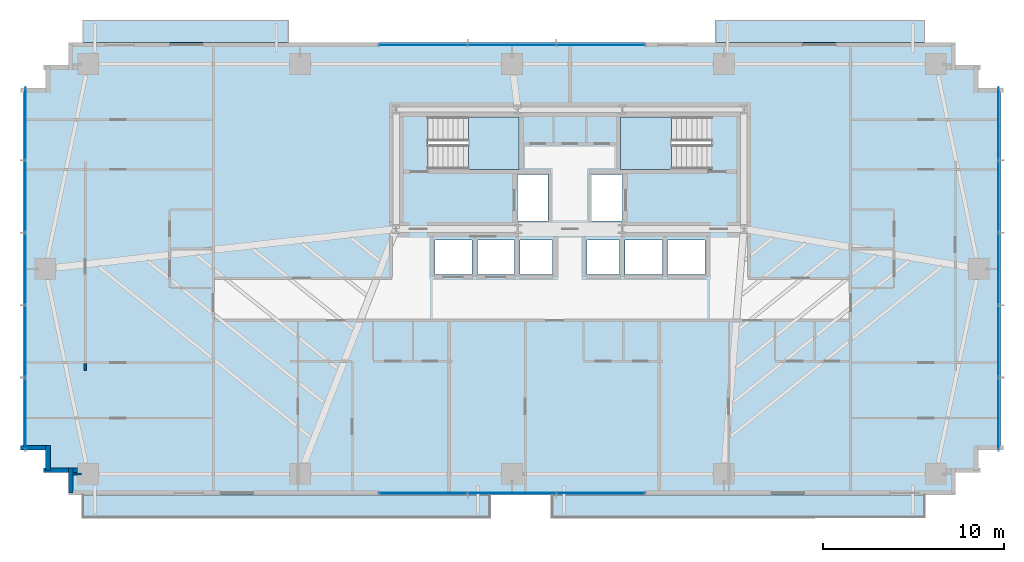
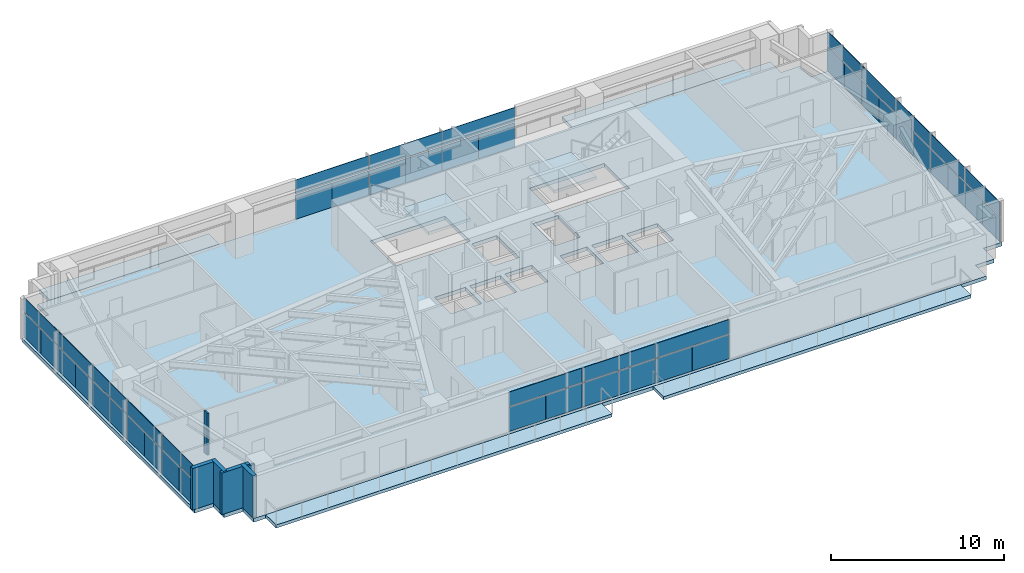
# One storey, part 18 of 25: 48 plates, 7 slabs, 6 walls, 6 elements without a shape of their own.
"""IFC4 building model written with IfcOpenShell, lengths in metres."""

from ifc_helpers import new_model, si_unit, direction, frame, frame_2d, origin, origin_2d, place, context, subcontext, project, spatial, polyline, rectangle, outline, extrude, source, transform, mapped, material, layer, layer_set, type_object, type_shapes, element, aggregate, save


model = new_model("IFC4")

# Units and contexts
model_context = context("Model", 3, precision=1e-05, world=origin(), true_north=direction((0.0, 1.0)))
body_context = subcontext(model_context, "Body", "Model", "MODEL_VIEW")
ifc_project = project(units=[si_unit("LENGTHUNIT", "METRE"), si_unit("AREAUNIT", "SQUARE_METRE"), si_unit("VOLUMEUNIT", "CUBIC_METRE"), si_unit("PLANEANGLEUNIT", "RADIAN"), si_unit("MASSUNIT", "GRAM", prefix="KILO")], contexts=[model_context])

# Site, building, storey
site_placement = place(None, origin())
site = spatial("IfcSite", under=ifc_project, at=site_placement, CompositionType="ELEMENT")
building_placement = place(site_placement, origin())
building = spatial("IfcBuilding", under=site, at=building_placement, Name="Astriad Promenade Condominiums", CompositionType="ELEMENT")
storey_placement = place(building_placement, frame((0.0, 0.0, 55.0)))
storey = spatial("IfcBuildingStorey", under=building, at=storey_placement, Name="L15", CompositionType="ELEMENT", Elevation=55.0)

# Slab
ifc_material_1 = material(Name="Concrete C50/60", Category="concrete")
ifc_layer_1 = layer(ifc_material_1, 0.260009765625)
ifc_layer_set_1 = layer_set([ifc_layer_1], Name="Concrete C50/60")
slab_type_1 = type_object("IfcSlabType", Name="CONCRETE TOWER FLOOR SLAB 260", PredefinedType="FLOOR", material=ifc_layer_set_1)
slab_1_placement = place(storey_placement, frame((0.0, 0.0, -0.260009765625)))
element("IfcSlab", 1, at=slab_1_placement, inside=storey, type_object=slab_type_1, Name="Structural Floor Slab (L15)", PredefinedType="FLOOR", context=body_context, shape_type="SweptSolid", body=[
    extrude(outline(polyline([(8.300048828125, 2.699951171875), (57.300048828125, 2.699951171875), (57.300048828125, 3.949951171875), (58.550048828125, 3.949951171875), (58.550048828125, 5.199951171875), (59.800048828125, 5.199951171875), (59.800048828125, 25.199951171875), (58.550048828125, 25.199951171875), (58.550048828125, 26.449951171875), (57.300048828125, 26.449951171875), (57.300048828125, 27.699951171875), (8.300048828125, 27.699951171875), (8.300048828125, 26.449951171875), (7.050048828125, 26.449951171875), (7.050048828125, 25.199951171875), (5.800048828125, 25.199951171875), (5.800048828125, 5.199951171875), (7.050048828125, 5.199951171875), (7.050048828125, 3.949951171875), (8.300048828125, 3.949951171875), (8.300048828125, 2.699951171875)]), holes=[polyline([(28.175048828125, 20.699951171875), (33.175048828125, 20.699951171875), (33.175048828125, 23.60009765625), (28.175048828125, 23.60009765625), (28.175048828125, 20.699951171875)]), polyline([(38.824951171875, 20.699951171875), (43.824951171875, 20.699951171875), (43.824951171875, 23.60009765625), (38.824951171875, 23.60009765625), (38.824951171875, 20.699951171875)]), polyline([(33.10009765625, 17.85009765625), (34.800048828125, 17.85009765625), (34.800048828125, 20.39990234375), (33.10009765625, 20.39990234375), (33.10009765625, 17.85009765625)]), polyline([(37.199951171875, 17.85009765625), (38.89990234375, 17.85009765625), (38.89990234375, 20.39990234375), (37.199951171875, 20.39990234375), (37.199951171875, 17.85009765625)]), polyline([(28.550048828125, 14.89990234375), (30.60009765625, 14.89990234375), (30.60009765625, 16.800048828125), (28.550048828125, 16.800048828125), (28.550048828125, 14.89990234375)]), polyline([(30.89990234375, 14.89990234375), (32.949951171875, 14.89990234375), (32.949951171875, 16.800048828125), (30.89990234375, 16.800048828125), (30.89990234375, 14.89990234375)]), polyline([(33.25, 14.89990234375), (35.050048828125, 14.89990234375), (35.050048828125, 16.800048828125), (33.25, 16.800048828125), (33.25, 14.89990234375)]), polyline([(36.949951171875, 14.89990234375), (38.75, 14.89990234375), (38.75, 16.800048828125), (36.949951171875, 16.800048828125), (36.949951171875, 14.89990234375)]), polyline([(39.050048828125, 14.89990234375), (41.10009765625, 14.89990234375), (41.10009765625, 16.800048828125), (39.050048828125, 16.800048828125), (39.050048828125, 14.89990234375)]), polyline([(41.39990234375, 14.89990234375), (43.449951171875, 14.89990234375), (43.449951171875, 16.800048828125), (41.39990234375, 16.800048828125), (41.39990234375, 14.89990234375)])]), origin(), (0.0, 0.0, 1.0), 0.260009765625),
])

# Stair, slab
stair_type = type_object("IfcStairType", Name="STR-CORE-1350", PredefinedType="HALF_TURN_STAIR", material=ifc_material_1)
stair_1_placement = place(storey_placement, origin())
stair_1 = element("IfcStair", 2, at=stair_1_placement, inside=storey, type_object=stair_type, Name="L15 Enclosed Core Exit Stair ST-1", PredefinedType="HALF_TURN_STAIR")
ifc_layer_2 = layer(ifc_material_1, 0.219970703125)
ifc_layer_set_2 = layer_set([ifc_layer_2], Name="Concrete C50/60")
slab_type_2 = type_object("IfcSlabType", Name="SLB-LANDING-220", PredefinedType="LANDING", material=ifc_layer_set_2)
slab_2_placement = place(storey_placement, frame((0.0, 0.0, 1.39990234375)))
slab_2 = element("IfcSlab", 3, at=slab_2_placement, type_object=slab_type_2, Name="ST-1 landing 1", PredefinedType="LANDING", context=body_context, shape_type="SweptSolid", body=[
    extrude(outline(polyline([(30.389892578125, 20.699951171875), (33.199951171875, 20.699951171875), (33.199951171875, 23.60009765625), (30.389892578125, 23.60009765625), (30.389892578125, 20.699951171875)])), origin(), (0.0, 0.0, 1.0), 0.2001953125),
])
aggregate(stair_1, [slab_2])

stair_2_placement = place(storey_placement, origin())
stair_2 = element("IfcStair", 4, at=stair_2_placement, inside=storey, type_object=stair_type, Name="L15 Enclosed Core Exit Stair ST-2", PredefinedType="HALF_TURN_STAIR")
slab_3_placement = place(storey_placement, frame((0.0, 0.0, 1.39990234375)))
slab_3 = element("IfcSlab", 5, at=slab_3_placement, type_object=slab_type_2, Name="ST-2 landing 1", PredefinedType="LANDING", context=body_context, shape_type="SweptSolid", body=[
    extrude(outline(polyline([(41.610107421875, 23.60009765625), (38.800048828125, 23.60009765625), (38.800048828125, 20.699951171875), (41.610107421875, 20.699951171875), (41.610107421875, 23.60009765625)])), origin(), (0.0, 0.0, 1.0), 0.2001953125),
])
aggregate(stair_2, [slab_3])

# Slabs
ifc_material_2 = material(Name="Precast concrete C50/60", Category="concrete")
ifc_layer_3 = layer(ifc_material_2, 0.219970703125)
ifc_layer_set_3 = layer_set([ifc_layer_3], Name="Precast concrete C50/60")
slab_type_3 = type_object("IfcSlabType", Name="WHITE PRECAST CONCRETE WAVE BALCONY SLAB 220", PredefinedType="FLOOR", material=ifc_layer_set_3)
slab_4_placement = place(storey_placement, frame((0.0, 0.0, -0.219970703125)))
element("IfcSlab", 6, at=slab_4_placement, inside=storey, type_object=slab_type_3, Name="White Precast Wave Balcony Slab BAL-L15-SW", PredefinedType="FLOOR", context=body_context, shape_type="SweptSolid", body=[
    extrude(outline(polyline([(31.568115234375, 1.47998046875), (9.10595703125, 1.47998046875), (9.10595703125, 2.697998046875), (31.568115234375, 2.697998046875), (31.568115234375, 1.47998046875)])), origin(), (0.0, 0.0, 1.0), 0.219970703125),
])
slab_5_placement = place(storey_placement, frame((0.0, 0.0, -0.219970703125)))
element("IfcSlab", 7, at=slab_5_placement, inside=storey, type_object=slab_type_3, Name="White Precast Wave Balcony Slab BAL-L15-SE", PredefinedType="FLOOR", context=body_context, shape_type="SweptSolid", body=[
    extrude(outline(polyline([(55.577880859375, 1.47998046875), (35.027099609375, 1.47998046875), (35.027099609375, 2.697998046875), (55.577880859375, 2.697998046875), (55.577880859375, 1.47998046875)])), origin(), (0.0, 0.0, 1.0), 0.219970703125),
])
slab_6_placement = place(storey_placement, frame((0.0, 0.0, -0.219970703125)))
element("IfcSlab", 8, at=slab_6_placement, inside=storey, type_object=slab_type_3, Name="White Precast Wave Balcony Slab BAL-L15-NW", PredefinedType="FLOOR", context=body_context, shape_type="SweptSolid", body=[
    extrude(outline(polyline([(9.10595703125, 28.919921875), (20.43994140625, 28.919921875), (20.43994140625, 27.701904296875), (9.10595703125, 27.701904296875), (9.10595703125, 28.919921875)])), origin(), (0.0, 0.0, 1.0), 0.219970703125),
])
slab_7_placement = place(storey_placement, frame((0.0, 0.0, -0.219970703125)))
element("IfcSlab", 9, at=slab_7_placement, inside=storey, type_object=slab_type_3, Name="White Precast Wave Balcony Slab BAL-L15-NE", PredefinedType="FLOOR", context=body_context, shape_type="SweptSolid", body=[
    extrude(outline(polyline([(44.050048828125, 28.919921875), (55.577880859375, 28.919921875), (55.577880859375, 27.701904296875), (44.050048828125, 27.701904296875), (44.050048828125, 28.919921875)])), origin(), (0.0, 0.0, 1.0), 0.219970703125),
])

# Curtain wall, plates
ifc_material_3 = material(Name="Anodised aluminium Black Dark Glass Unitised", Category="aluminium")
curtain_wall_type = type_object("IfcCurtainWallType", Name="CW-B1-DARK", PredefinedType="USERDEFINED", material=ifc_material_3)
curtain_wall_1_placement = place(storey_placement, origin())
curtain_wall_1 = element("IfcCurtainWall", 10, at=curtain_wall_1_placement, inside=storey, type_object=curtain_wall_type, Name="CW-L15-W", ObjectType="UNITISED_CURTAIN_WALL", PredefinedType="USERDEFINED")
ifc_material_4 = material(Name="Dark Tinted Low-E Laminated Glass", Category="glass")
ifc_layer_4 = layer(ifc_material_4, 0.035888671875)
ifc_layer_set_4 = layer_set([ifc_layer_4], Name="Dark Tinted Low-E Laminated Glass")
plate_type = type_object("IfcPlateType", Name="PNL-DARK-GLASS-36", PredefinedType="CURTAIN_PANEL", material=ifc_layer_set_4)
shared_shape_1 = source(origin(), body_context, "Body", "SweptSolid", [
    extrude(rectangle(XDim=1.988037109375, YDim=0.035888671875, at=origin_2d()), origin(), (0.0, 0.0, 1.0), 1.702880859375),
])
plate_1_placement = place(storey_placement, frame((5.929931640625, 6.199951171875, 0.080078125), z_axis=(0.0, 0.0, 1.0), x_axis=(0.0, 1.0, 0.0)))
plate_1 = element("IfcPlate", 11, at=plate_1_placement, type_object=plate_type, Name="CW-L15-W-PNL-00-VL", PredefinedType="CURTAIN_PANEL", context=body_context, shape_type="MappedRepresentation", body=[
    mapped(shared_shape_1, transform((0.0, 0.0, 0.0), scale=1.0)),
])
plate_2_placement = place(storey_placement, frame((5.929931640625, 8.199951171875, 0.080078125), z_axis=(0.0, 0.0, 1.0), x_axis=(0.0, 1.0, 0.0)))
plate_2 = element("IfcPlate", 12, at=plate_2_placement, type_object=plate_type, Name="CW-L15-W-PNL-00-VR", PredefinedType="CURTAIN_PANEL", context=body_context, shape_type="MappedRepresentation", body=[
    mapped(shared_shape_1, transform((0.0, 0.0, 0.0), scale=1.0)),
])
plate_3_placement = place(storey_placement, frame((5.929931640625, 10.199951171875, 0.080078125), z_axis=(0.0, 0.0, 1.0), x_axis=(0.0, 1.0, 0.0)))
plate_3 = element("IfcPlate", 13, at=plate_3_placement, type_object=plate_type, Name="CW-L15-W-PNL-01-VL", PredefinedType="CURTAIN_PANEL", context=body_context, shape_type="MappedRepresentation", body=[
    mapped(shared_shape_1, transform((0.0, 0.0, 0.0), scale=1.0)),
])
plate_4_placement = place(storey_placement, frame((5.929931640625, 12.199951171875, 0.080078125), z_axis=(0.0, 0.0, 1.0), x_axis=(0.0, 1.0, 0.0)))
plate_4 = element("IfcPlate", 14, at=plate_4_placement, type_object=plate_type, Name="CW-L15-W-PNL-01-VR", PredefinedType="CURTAIN_PANEL", context=body_context, shape_type="MappedRepresentation", body=[
    mapped(shared_shape_1, transform((0.0, 0.0, 0.0), scale=1.0)),
])
plate_5_placement = place(storey_placement, frame((5.929931640625, 14.199951171875, 0.080078125), z_axis=(0.0, 0.0, 1.0), x_axis=(0.0, 1.0, 0.0)))
plate_5 = element("IfcPlate", 15, at=plate_5_placement, type_object=plate_type, Name="CW-L15-W-PNL-02-VL", PredefinedType="CURTAIN_PANEL", context=body_context, shape_type="MappedRepresentation", body=[
    mapped(shared_shape_1, transform((0.0, 0.0, 0.0), scale=1.0)),
])
plate_6_placement = place(storey_placement, frame((5.929931640625, 16.199951171875, 0.080078125), z_axis=(0.0, 0.0, 1.0), x_axis=(0.0, 1.0, 0.0)))
plate_6 = element("IfcPlate", 16, at=plate_6_placement, type_object=plate_type, Name="CW-L15-W-PNL-02-VR", PredefinedType="CURTAIN_PANEL", context=body_context, shape_type="MappedRepresentation", body=[
    mapped(shared_shape_1, transform((0.0, 0.0, 0.0), scale=1.0)),
])
plate_7_placement = place(storey_placement, frame((5.929931640625, 18.199951171875, 0.080078125), z_axis=(0.0, 0.0, 1.0), x_axis=(0.0, 1.0, 0.0)))
plate_7 = element("IfcPlate", 17, at=plate_7_placement, type_object=plate_type, Name="CW-L15-W-PNL-03-VL", PredefinedType="CURTAIN_PANEL", context=body_context, shape_type="MappedRepresentation", body=[
    mapped(shared_shape_1, transform((0.0, 0.0, 0.0), scale=1.0)),
])
plate_8_placement = place(storey_placement, frame((5.929931640625, 20.199951171875, 0.080078125), z_axis=(0.0, 0.0, 1.0), x_axis=(0.0, 1.0, 0.0)))
plate_8 = element("IfcPlate", 18, at=plate_8_placement, type_object=plate_type, Name="CW-L15-W-PNL-03-VR", PredefinedType="CURTAIN_PANEL", context=body_context, shape_type="MappedRepresentation", body=[
    mapped(shared_shape_1, transform((0.0, 0.0, 0.0), scale=1.0)),
])
plate_9_placement = place(storey_placement, frame((5.929931640625, 22.199951171875, 0.080078125), z_axis=(0.0, 0.0, 1.0), x_axis=(0.0, 1.0, 0.0)))
plate_9 = element("IfcPlate", 19, at=plate_9_placement, type_object=plate_type, Name="CW-L15-W-PNL-04-VL", PredefinedType="CURTAIN_PANEL", context=body_context, shape_type="MappedRepresentation", body=[
    mapped(shared_shape_1, transform((0.0, 0.0, 0.0), scale=1.0)),
])
plate_10_placement = place(storey_placement, frame((5.929931640625, 24.199951171875, 0.080078125), z_axis=(0.0, 0.0, 1.0), x_axis=(0.0, 1.0, 0.0)))
plate_10 = element("IfcPlate", 20, at=plate_10_placement, type_object=plate_type, Name="CW-L15-W-PNL-04-VR", PredefinedType="CURTAIN_PANEL", context=body_context, shape_type="MappedRepresentation", body=[
    mapped(shared_shape_1, transform((0.0, 0.0, 0.0), scale=1.0)),
])

curtain_wall_2_placement = place(storey_placement, origin())
curtain_wall_2 = element("IfcCurtainWall", 21, at=curtain_wall_2_placement, inside=storey, type_object=curtain_wall_type, Name="CW-L15-E", ObjectType="UNITISED_CURTAIN_WALL", PredefinedType="USERDEFINED")
plate_11_placement = place(storey_placement, frame((59.669921875, 24.199951171875, 0.080078125), z_axis=(0.0, 0.0, 1.0), x_axis=(0.0, -1.0, 0.0)))
plate_11 = element("IfcPlate", 22, at=plate_11_placement, type_object=plate_type, Name="CW-L15-E-PNL-00-VL", PredefinedType="CURTAIN_PANEL", context=body_context, shape_type="MappedRepresentation", body=[
    mapped(shared_shape_1, transform((0.0, 0.0, 0.0), scale=1.0)),
])
plate_12_placement = place(storey_placement, frame((59.669921875, 22.199951171875, 0.080078125), z_axis=(0.0, 0.0, 1.0), x_axis=(0.0, -1.0, 0.0)))
plate_12 = element("IfcPlate", 23, at=plate_12_placement, type_object=plate_type, Name="CW-L15-E-PNL-00-VR", PredefinedType="CURTAIN_PANEL", context=body_context, shape_type="MappedRepresentation", body=[
    mapped(shared_shape_1, transform((0.0, 0.0, 0.0), scale=1.0)),
])
plate_13_placement = place(storey_placement, frame((59.669921875, 20.199951171875, 0.080078125), z_axis=(0.0, 0.0, 1.0), x_axis=(0.0, -1.0, 0.0)))
plate_13 = element("IfcPlate", 24, at=plate_13_placement, type_object=plate_type, Name="CW-L15-E-PNL-01-VL", PredefinedType="CURTAIN_PANEL", context=body_context, shape_type="MappedRepresentation", body=[
    mapped(shared_shape_1, transform((0.0, 0.0, 0.0), scale=1.0)),
])
plate_14_placement = place(storey_placement, frame((59.669921875, 18.199951171875, 0.080078125), z_axis=(0.0, 0.0, 1.0), x_axis=(0.0, -1.0, 0.0)))
plate_14 = element("IfcPlate", 25, at=plate_14_placement, type_object=plate_type, Name="CW-L15-E-PNL-01-VR", PredefinedType="CURTAIN_PANEL", context=body_context, shape_type="MappedRepresentation", body=[
    mapped(shared_shape_1, transform((0.0, 0.0, 0.0), scale=1.0)),
])
plate_15_placement = place(storey_placement, frame((59.669921875, 16.199951171875, 0.080078125), z_axis=(0.0, 0.0, 1.0), x_axis=(0.0, -1.0, 0.0)))
plate_15 = element("IfcPlate", 26, at=plate_15_placement, type_object=plate_type, Name="CW-L15-E-PNL-02-VL", PredefinedType="CURTAIN_PANEL", context=body_context, shape_type="MappedRepresentation", body=[
    mapped(shared_shape_1, transform((0.0, 0.0, 0.0), scale=1.0)),
])
plate_16_placement = place(storey_placement, frame((59.669921875, 14.199951171875, 0.080078125), z_axis=(0.0, 0.0, 1.0), x_axis=(0.0, -1.0, 0.0)))
plate_16 = element("IfcPlate", 27, at=plate_16_placement, type_object=plate_type, Name="CW-L15-E-PNL-02-VR", PredefinedType="CURTAIN_PANEL", context=body_context, shape_type="MappedRepresentation", body=[
    mapped(shared_shape_1, transform((0.0, 0.0, 0.0), scale=1.0)),
])
plate_17_placement = place(storey_placement, frame((59.669921875, 12.199951171875, 0.080078125), z_axis=(0.0, 0.0, 1.0), x_axis=(0.0, -1.0, 0.0)))
plate_17 = element("IfcPlate", 28, at=plate_17_placement, type_object=plate_type, Name="CW-L15-E-PNL-03-VL", PredefinedType="CURTAIN_PANEL", context=body_context, shape_type="MappedRepresentation", body=[
    mapped(shared_shape_1, transform((0.0, 0.0, 0.0), scale=1.0)),
])
plate_18_placement = place(storey_placement, frame((59.669921875, 10.199951171875, 0.080078125), z_axis=(0.0, 0.0, 1.0), x_axis=(0.0, -1.0, 0.0)))
plate_18 = element("IfcPlate", 29, at=plate_18_placement, type_object=plate_type, Name="CW-L15-E-PNL-03-VR", PredefinedType="CURTAIN_PANEL", context=body_context, shape_type="MappedRepresentation", body=[
    mapped(shared_shape_1, transform((0.0, 0.0, 0.0), scale=1.0)),
])
plate_19_placement = place(storey_placement, frame((59.669921875, 8.199951171875, 0.080078125), z_axis=(0.0, 0.0, 1.0), x_axis=(0.0, -1.0, 0.0)))
plate_19 = element("IfcPlate", 30, at=plate_19_placement, type_object=plate_type, Name="CW-L15-E-PNL-04-VL", PredefinedType="CURTAIN_PANEL", context=body_context, shape_type="MappedRepresentation", body=[
    mapped(shared_shape_1, transform((0.0, 0.0, 0.0), scale=1.0)),
])
plate_20_placement = place(storey_placement, frame((59.669921875, 6.199951171875, 0.080078125), z_axis=(0.0, 0.0, 1.0), x_axis=(0.0, -1.0, 0.0)))
plate_20 = element("IfcPlate", 31, at=plate_20_placement, type_object=plate_type, Name="CW-L15-E-PNL-04-VR", PredefinedType="CURTAIN_PANEL", context=body_context, shape_type="MappedRepresentation", body=[
    mapped(shared_shape_1, transform((0.0, 0.0, 0.0), scale=1.0)),
])

# Plate
shared_shape_2 = source(origin(), body_context, "Body", "SweptSolid", [
    extrude(rectangle(XDim=3.988037109375, YDim=0.035888671875, at=origin_2d()), origin(), (0.0, 0.0, 1.0), 0.997314453125),
])
plate_21_placement = place(storey_placement, frame((5.929931640625, 7.199951171875, 1.86279296875), z_axis=(0.0, 0.0, 1.0), x_axis=(0.0, 1.0, 0.0)))
plate_21 = element("IfcPlate", 32, at=plate_21_placement, type_object=plate_type, Name="CW-L15-W-PNL-00-S", PredefinedType="CURTAIN_PANEL", context=body_context, shape_type="MappedRepresentation", body=[
    mapped(shared_shape_2, transform((0.0, 0.0, 0.0), scale=1.0)),
])

plate_22_placement = place(storey_placement, frame((5.929931640625, 11.199951171875, 1.86279296875), z_axis=(0.0, 0.0, 1.0), x_axis=(0.0, 1.0, 0.0)))
plate_22 = element("IfcPlate", 33, at=plate_22_placement, type_object=plate_type, Name="CW-L15-W-PNL-01-S", PredefinedType="CURTAIN_PANEL", context=body_context, shape_type="MappedRepresentation", body=[
    mapped(shared_shape_2, transform((0.0, 0.0, 0.0), scale=1.0)),
])

plate_23_placement = place(storey_placement, frame((5.929931640625, 15.199951171875, 1.86279296875), z_axis=(0.0, 0.0, 1.0), x_axis=(0.0, 1.0, 0.0)))
plate_23 = element("IfcPlate", 34, at=plate_23_placement, type_object=plate_type, Name="CW-L15-W-PNL-02-S", PredefinedType="CURTAIN_PANEL", context=body_context, shape_type="MappedRepresentation", body=[
    mapped(shared_shape_2, transform((0.0, 0.0, 0.0), scale=1.0)),
])

plate_24_placement = place(storey_placement, frame((5.929931640625, 19.199951171875, 1.86279296875), z_axis=(0.0, 0.0, 1.0), x_axis=(0.0, 1.0, 0.0)))
plate_24 = element("IfcPlate", 35, at=plate_24_placement, type_object=plate_type, Name="CW-L15-W-PNL-03-S", PredefinedType="CURTAIN_PANEL", context=body_context, shape_type="MappedRepresentation", body=[
    mapped(shared_shape_2, transform((0.0, 0.0, 0.0), scale=1.0)),
])

plate_25_placement = place(storey_placement, frame((5.929931640625, 23.199951171875, 1.86279296875), z_axis=(0.0, 0.0, 1.0), x_axis=(0.0, 1.0, 0.0)))
plate_25 = element("IfcPlate", 36, at=plate_25_placement, type_object=plate_type, Name="CW-L15-W-PNL-04-S", PredefinedType="CURTAIN_PANEL", context=body_context, shape_type="MappedRepresentation", body=[
    mapped(shared_shape_2, transform((0.0, 0.0, 0.0), scale=1.0)),
])

aggregate(curtain_wall_1, [plate_1, plate_2, plate_21, plate_3, plate_4, plate_22, plate_5, plate_6, plate_23, plate_7, plate_8, plate_24, plate_9, plate_10, plate_25])

plate_26_placement = place(storey_placement, frame((59.669921875, 23.199951171875, 1.86279296875), z_axis=(0.0, 0.0, 1.0), x_axis=(0.0, -1.0, 0.0)))
plate_26 = element("IfcPlate", 37, at=plate_26_placement, type_object=plate_type, Name="CW-L15-E-PNL-00-S", PredefinedType="CURTAIN_PANEL", context=body_context, shape_type="MappedRepresentation", body=[
    mapped(shared_shape_2, transform((0.0, 0.0, 0.0), scale=1.0)),
])

plate_27_placement = place(storey_placement, frame((59.669921875, 19.199951171875, 1.86279296875), z_axis=(0.0, 0.0, 1.0), x_axis=(0.0, -1.0, 0.0)))
plate_27 = element("IfcPlate", 38, at=plate_27_placement, type_object=plate_type, Name="CW-L15-E-PNL-01-S", PredefinedType="CURTAIN_PANEL", context=body_context, shape_type="MappedRepresentation", body=[
    mapped(shared_shape_2, transform((0.0, 0.0, 0.0), scale=1.0)),
])

plate_28_placement = place(storey_placement, frame((59.669921875, 15.199951171875, 1.86279296875), z_axis=(0.0, 0.0, 1.0), x_axis=(0.0, -1.0, 0.0)))
plate_28 = element("IfcPlate", 39, at=plate_28_placement, type_object=plate_type, Name="CW-L15-E-PNL-02-S", PredefinedType="CURTAIN_PANEL", context=body_context, shape_type="MappedRepresentation", body=[
    mapped(shared_shape_2, transform((0.0, 0.0, 0.0), scale=1.0)),
])

plate_29_placement = place(storey_placement, frame((59.669921875, 11.199951171875, 1.86279296875), z_axis=(0.0, 0.0, 1.0), x_axis=(0.0, -1.0, 0.0)))
plate_29 = element("IfcPlate", 40, at=plate_29_placement, type_object=plate_type, Name="CW-L15-E-PNL-03-S", PredefinedType="CURTAIN_PANEL", context=body_context, shape_type="MappedRepresentation", body=[
    mapped(shared_shape_2, transform((0.0, 0.0, 0.0), scale=1.0)),
])

plate_30_placement = place(storey_placement, frame((59.669921875, 7.199951171875, 1.86279296875), z_axis=(0.0, 0.0, 1.0), x_axis=(0.0, -1.0, 0.0)))
plate_30 = element("IfcPlate", 41, at=plate_30_placement, type_object=plate_type, Name="CW-L15-E-PNL-04-S", PredefinedType="CURTAIN_PANEL", context=body_context, shape_type="MappedRepresentation", body=[
    mapped(shared_shape_2, transform((0.0, 0.0, 0.0), scale=1.0)),
])

aggregate(curtain_wall_2, [plate_11, plate_12, plate_26, plate_13, plate_14, plate_27, plate_15, plate_16, plate_28, plate_17, plate_18, plate_29, plate_19, plate_20, plate_30])

# Curtain wall, plates
curtain_wall_3_placement = place(storey_placement, origin())
curtain_wall_3 = element("IfcCurtainWall", 42, at=curtain_wall_3_placement, inside=storey, type_object=curtain_wall_type, Name="CW-L15-N", ObjectType="UNITISED_CURTAIN_WALL", PredefinedType="USERDEFINED")
shared_shape_3 = source(origin(), body_context, "Body", "SweptSolid", [
    extrude(rectangle(XDim=2.43798828125, YDim=0.035888671875, at=origin_2d()), origin(), (0.0, 0.0, 1.0), 1.702880859375),
])
plate_31_placement = place(storey_placement, frame((26.675048828125, 27.570068359375, 0.080078125), z_axis=(0.0, 0.0, 1.0), x_axis=(1.0, 0.0, 0.0)))
plate_31 = element("IfcPlate", 43, at=plate_31_placement, type_object=plate_type, Name="CW-L15-N-PNL-00-VL", PredefinedType="CURTAIN_PANEL", context=body_context, shape_type="MappedRepresentation", body=[
    mapped(shared_shape_3, transform((0.0, 0.0, 0.0), scale=1.0)),
])
plate_32_placement = place(storey_placement, frame((29.125, 27.570068359375, 0.080078125), z_axis=(0.0, 0.0, 1.0), x_axis=(1.0, 0.0, 0.0)))
plate_32 = element("IfcPlate", 44, at=plate_32_placement, type_object=plate_type, Name="CW-L15-N-PNL-00-VR", PredefinedType="CURTAIN_PANEL", context=body_context, shape_type="MappedRepresentation", body=[
    mapped(shared_shape_3, transform((0.0, 0.0, 0.0), scale=1.0)),
])
plate_33_placement = place(storey_placement, frame((31.574951171875, 27.570068359375, 0.080078125), z_axis=(0.0, 0.0, 1.0), x_axis=(1.0, 0.0, 0.0)))
plate_33 = element("IfcPlate", 45, at=plate_33_placement, type_object=plate_type, Name="CW-L15-N-PNL-01-VL", PredefinedType="CURTAIN_PANEL", context=body_context, shape_type="MappedRepresentation", body=[
    mapped(shared_shape_3, transform((0.0, 0.0, 0.0), scale=1.0)),
])
plate_34_placement = place(storey_placement, frame((34.02490234375, 27.570068359375, 0.080078125), z_axis=(0.0, 0.0, 1.0), x_axis=(1.0, 0.0, 0.0)))
plate_34 = element("IfcPlate", 46, at=plate_34_placement, type_object=plate_type, Name="CW-L15-N-PNL-01-VR", PredefinedType="CURTAIN_PANEL", context=body_context, shape_type="MappedRepresentation", body=[
    mapped(shared_shape_3, transform((0.0, 0.0, 0.0), scale=1.0)),
])
plate_35_placement = place(storey_placement, frame((36.47509765625, 27.570068359375, 0.080078125), z_axis=(0.0, 0.0, 1.0), x_axis=(1.0, 0.0, 0.0)))
plate_35 = element("IfcPlate", 47, at=plate_35_placement, type_object=plate_type, Name="CW-L15-N-PNL-02-VL", PredefinedType="CURTAIN_PANEL", context=body_context, shape_type="MappedRepresentation", body=[
    mapped(shared_shape_3, transform((0.0, 0.0, 0.0), scale=1.0)),
])
plate_36_placement = place(storey_placement, frame((38.925048828125, 27.570068359375, 0.080078125), z_axis=(0.0, 0.0, 1.0), x_axis=(1.0, 0.0, 0.0)))
plate_36 = element("IfcPlate", 48, at=plate_36_placement, type_object=plate_type, Name="CW-L15-N-PNL-02-VR", PredefinedType="CURTAIN_PANEL", context=body_context, shape_type="MappedRepresentation", body=[
    mapped(shared_shape_3, transform((0.0, 0.0, 0.0), scale=1.0)),
])

curtain_wall_4_placement = place(storey_placement, origin())
curtain_wall_4 = element("IfcCurtainWall", 49, at=curtain_wall_4_placement, inside=storey, type_object=curtain_wall_type, Name="CW-L15-S", ObjectType="UNITISED_CURTAIN_WALL", PredefinedType="USERDEFINED")
plate_37_placement = place(storey_placement, frame((38.925048828125, 2.830078125, 0.080078125), z_axis=(0.0, 0.0, 1.0), x_axis=(-1.0, 0.0, 0.0)))
plate_37 = element("IfcPlate", 50, at=plate_37_placement, type_object=plate_type, Name="CW-L15-S-PNL-00-VL", PredefinedType="CURTAIN_PANEL", context=body_context, shape_type="MappedRepresentation", body=[
    mapped(shared_shape_3, transform((0.0, 0.0, 0.0), scale=1.0)),
])
plate_38_placement = place(storey_placement, frame((36.47509765625, 2.830078125, 0.080078125), z_axis=(0.0, 0.0, 1.0), x_axis=(-1.0, 0.0, 0.0)))
plate_38 = element("IfcPlate", 51, at=plate_38_placement, type_object=plate_type, Name="CW-L15-S-PNL-00-VR", PredefinedType="CURTAIN_PANEL", context=body_context, shape_type="MappedRepresentation", body=[
    mapped(shared_shape_3, transform((0.0, 0.0, 0.0), scale=1.0)),
])
plate_39_placement = place(storey_placement, frame((34.02490234375, 2.830078125, 0.080078125), z_axis=(0.0, 0.0, 1.0), x_axis=(-1.0, 0.0, 0.0)))
plate_39 = element("IfcPlate", 52, at=plate_39_placement, type_object=plate_type, Name="CW-L15-S-PNL-01-VL", PredefinedType="CURTAIN_PANEL", context=body_context, shape_type="MappedRepresentation", body=[
    mapped(shared_shape_3, transform((0.0, 0.0, 0.0), scale=1.0)),
])
plate_40_placement = place(storey_placement, frame((31.574951171875, 2.830078125, 0.080078125), z_axis=(0.0, 0.0, 1.0), x_axis=(-1.0, 0.0, 0.0)))
plate_40 = element("IfcPlate", 53, at=plate_40_placement, type_object=plate_type, Name="CW-L15-S-PNL-01-VR", PredefinedType="CURTAIN_PANEL", context=body_context, shape_type="MappedRepresentation", body=[
    mapped(shared_shape_3, transform((0.0, 0.0, 0.0), scale=1.0)),
])
plate_41_placement = place(storey_placement, frame((29.125, 2.830078125, 0.080078125), z_axis=(0.0, 0.0, 1.0), x_axis=(-1.0, 0.0, 0.0)))
plate_41 = element("IfcPlate", 54, at=plate_41_placement, type_object=plate_type, Name="CW-L15-S-PNL-02-VL", PredefinedType="CURTAIN_PANEL", context=body_context, shape_type="MappedRepresentation", body=[
    mapped(shared_shape_3, transform((0.0, 0.0, 0.0), scale=1.0)),
])
plate_42_placement = place(storey_placement, frame((26.675048828125, 2.830078125, 0.080078125), z_axis=(0.0, 0.0, 1.0), x_axis=(-1.0, 0.0, 0.0)))
plate_42 = element("IfcPlate", 55, at=plate_42_placement, type_object=plate_type, Name="CW-L15-S-PNL-02-VR", PredefinedType="CURTAIN_PANEL", context=body_context, shape_type="MappedRepresentation", body=[
    mapped(shared_shape_3, transform((0.0, 0.0, 0.0), scale=1.0)),
])

# Plate
shared_shape_4 = source(origin(), body_context, "Body", "SweptSolid", [
    extrude(rectangle(XDim=4.887939453125, YDim=0.035888671875, at=origin_2d()), origin(), (0.0, 0.0, 1.0), 0.997314453125),
])
type_shapes(plate_type, [shared_shape_1, shared_shape_2, shared_shape_3, shared_shape_4])
plate_43_placement = place(storey_placement, frame((27.89990234375, 27.570068359375, 1.86279296875), z_axis=(0.0, 0.0, 1.0), x_axis=(1.0, 0.0, 0.0)))
plate_43 = element("IfcPlate", 56, at=plate_43_placement, type_object=plate_type, Name="CW-L15-N-PNL-00-S", PredefinedType="CURTAIN_PANEL", context=body_context, shape_type="MappedRepresentation", body=[
    mapped(shared_shape_4, transform((0.0, 0.0, 0.0), scale=1.0)),
])

plate_44_placement = place(storey_placement, frame((32.800048828125, 27.570068359375, 1.86279296875), z_axis=(0.0, 0.0, 1.0), x_axis=(1.0, 0.0, 0.0)))
plate_44 = element("IfcPlate", 57, at=plate_44_placement, type_object=plate_type, Name="CW-L15-N-PNL-01-S", PredefinedType="CURTAIN_PANEL", context=body_context, shape_type="MappedRepresentation", body=[
    mapped(shared_shape_4, transform((0.0, 0.0, 0.0), scale=1.0)),
])

plate_45_placement = place(storey_placement, frame((37.699951171875, 27.570068359375, 1.86279296875), z_axis=(0.0, 0.0, 1.0), x_axis=(1.0, 0.0, 0.0)))
plate_45 = element("IfcPlate", 58, at=plate_45_placement, type_object=plate_type, Name="CW-L15-N-PNL-02-S", PredefinedType="CURTAIN_PANEL", context=body_context, shape_type="MappedRepresentation", body=[
    mapped(shared_shape_4, transform((0.0, 0.0, 0.0), scale=1.0)),
])

aggregate(curtain_wall_3, [plate_31, plate_32, plate_43, plate_33, plate_34, plate_44, plate_35, plate_36, plate_45])

plate_46_placement = place(storey_placement, frame((37.699951171875, 2.830078125, 1.86279296875), z_axis=(0.0, 0.0, 1.0), x_axis=(-1.0, 0.0, 0.0)))
plate_46 = element("IfcPlate", 59, at=plate_46_placement, type_object=plate_type, Name="CW-L15-S-PNL-00-S", PredefinedType="CURTAIN_PANEL", context=body_context, shape_type="MappedRepresentation", body=[
    mapped(shared_shape_4, transform((0.0, 0.0, 0.0), scale=1.0)),
])

plate_47_placement = place(storey_placement, frame((32.800048828125, 2.830078125, 1.86279296875), z_axis=(0.0, 0.0, 1.0), x_axis=(-1.0, 0.0, 0.0)))
plate_47 = element("IfcPlate", 60, at=plate_47_placement, type_object=plate_type, Name="CW-L15-S-PNL-01-S", PredefinedType="CURTAIN_PANEL", context=body_context, shape_type="MappedRepresentation", body=[
    mapped(shared_shape_4, transform((0.0, 0.0, 0.0), scale=1.0)),
])

plate_48_placement = place(storey_placement, frame((27.89990234375, 2.830078125, 1.86279296875), z_axis=(0.0, 0.0, 1.0), x_axis=(-1.0, 0.0, 0.0)))
plate_48 = element("IfcPlate", 61, at=plate_48_placement, type_object=plate_type, Name="CW-L15-S-PNL-02-S", PredefinedType="CURTAIN_PANEL", context=body_context, shape_type="MappedRepresentation", body=[
    mapped(shared_shape_4, transform((0.0, 0.0, 0.0), scale=1.0)),
])

aggregate(curtain_wall_4, [plate_37, plate_38, plate_46, plate_39, plate_40, plate_47, plate_41, plate_42, plate_48])

# Walls
ifc_layer_5 = layer(ifc_material_2, 0.260009765625)
ifc_layer_set_5 = layer_set([ifc_layer_5], Name="Precast concrete C50/60")
wall_type_1 = type_object("IfcWallType", Name="WALL-EXT-TWR-260", PredefinedType="STANDARD", material=ifc_layer_set_5)
wall_1_placement = place(storey_placement, frame((8.798095703125, 4.080078125, 0.0), z_axis=(0.0, 0.0, 1.0), x_axis=(-1.0, 0.0, 0.0)))
element("IfcWall", 62, at=wall_1_placement, inside=storey, type_object=wall_type_1, Name="W-SER-L15-00", PredefinedType="STANDARD", context=body_context, shape_type="SweptSolid", body=[
    extrude(rectangle(XDim=1.878173828125, YDim=0.260009765625, at=frame_2d((0.93896484375, 0.0))), origin(), (0.0, 0.0, 1.0), 2.93994140625),
])
for number, where, z_axis, x_axis, name in (
    (63, (7.179931640625, 4.06494140625, 0.0), (0.0, 0.0, 1.0), (0.0, 1.0, 0.0), "W-SER-L15-01"),
    (64, (7.06494140625, 5.330078125, 0.0), (0.0, 0.0, 1.0), (-1.0, 0.0, 0.0), "W-SER-L15-02"),
    (65, (8.429931640625, 2.81494140625, 0.0), (0.0, 0.0, 1.0), (0.0, 1.0, 0.0), "W-SER-L15-19"),
):
    element("IfcWall", number, at=place(storey_placement, frame(where, z_axis=z_axis, x_axis=x_axis)), inside=storey, type_object=wall_type_1, Name=name, PredefinedType="STANDARD", context=body_context, shape_type="SweptSolid", body=[
        extrude(rectangle(XDim=1.39501953125, YDim=0.260009765625, at=frame_2d((0.697509765625, 0.0))), origin(), (0.0, 0.0, 1.0), 2.93994140625),
    ])
ifc_material_5 = material(Name="Acoustic Metal-Stud Gypsum Partition")
ifc_layer_6 = layer(ifc_material_5, 0.1201171875)
ifc_layer_set_6 = layer_set([ifc_layer_6], Name="Acoustic Metal-Stud Gypsum Partition")
wall_type_2 = type_object("IfcWallType", Name="WALL-PART-120", PredefinedType="PARTITIONING", material=ifc_layer_set_6)
wall_2_placement = place(storey_placement, frame((9.237060546875, 9.5859375, 0.0), z_axis=(0.0, 0.0, 1.0), x_axis=(0.0, 1.0, 0.0)))
element("IfcWall", 66, at=wall_2_placement, inside=storey, type_object=wall_type_2, Name="PT-L15-W1-WDV5", PredefinedType="PARTITIONING", context=body_context, shape_type="SweptSolid", body=[
    extrude(rectangle(XDim=0.378173828125, YDim=0.1201171875, at=frame_2d((0.18896484375, 0.0))), origin(), (0.0, 0.0, 1.0), 2.93994140625),
])
wall_3_placement = place(storey_placement, frame((9.02001953125, 3.8798828125, 0.0), z_axis=(0.0, 0.0, 1.0), x_axis=(-1.0, 0.0, 0.0)))
element("IfcWall", 67, at=wall_3_placement, inside=storey, type_object=wall_type_2, Name="PT-PIL-L15-PC01-8", PredefinedType="PARTITIONING", context=body_context, shape_type="SweptSolid", body=[
    extrude(rectangle(XDim=0.4580078125, YDim=0.1201171875, at=frame_2d((0.22900390625, 0.0))), origin(), (0.0, 0.0, 1.0), 2.93994140625),
])

save(model, "model.ifc")
